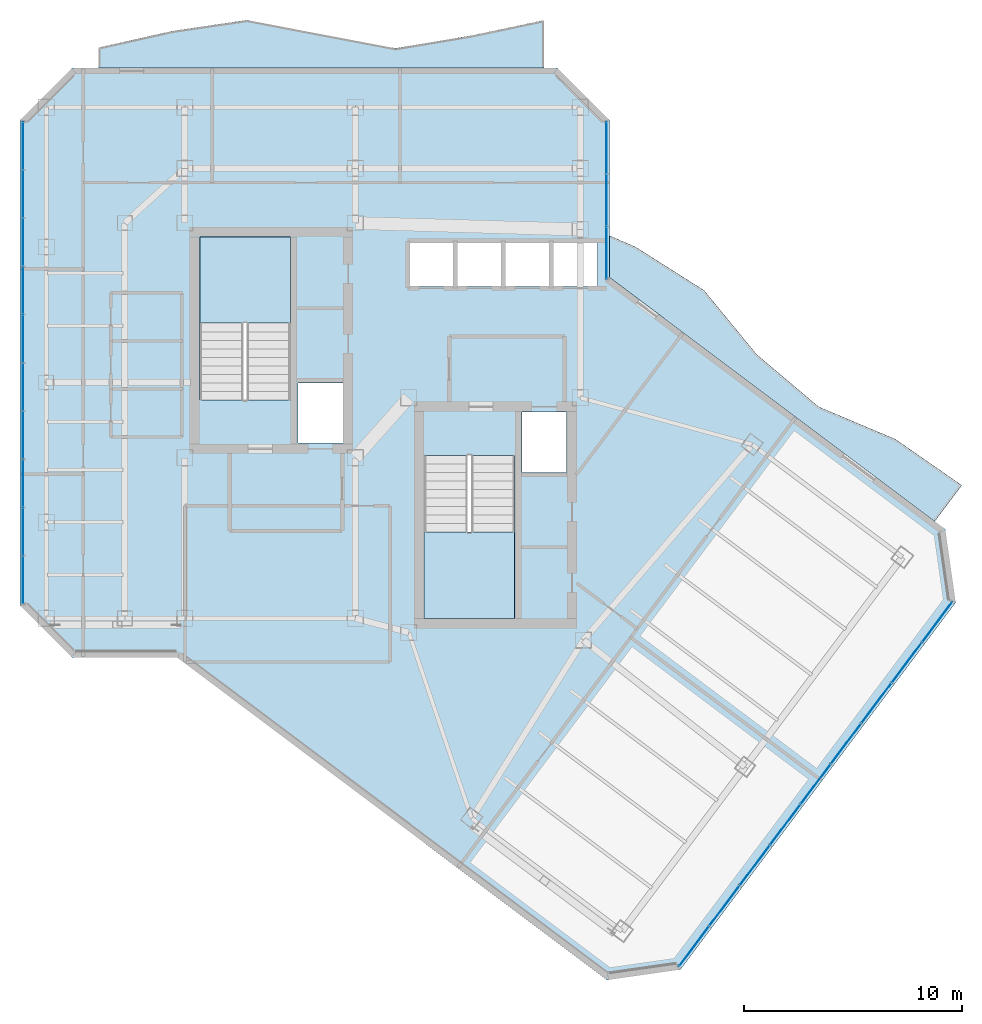
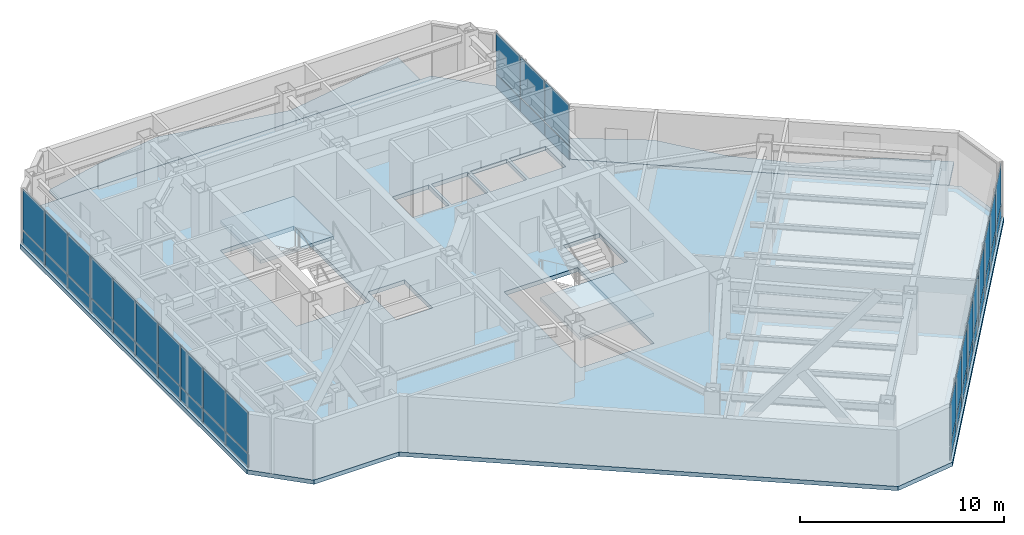
# One storey, part 18 of 24: 44 plates, 5 slabs, 5 elements without a shape of their own.
"""IFC4 building model written with IfcOpenShell, lengths in metres."""

import ifcopenshell
import ifcopenshell.guid

model = None  # the IFC model being written
_history = None  # IfcOwnerHistory: only IFC2X3 demands one
_inside = {}  # id of a spatial element -> (the spatial element, [elements in it])
_under = {}  # id of a project, library or spatial element -> (it, [spatial elements below it])
_declared = {}  # id of a project -> (the project, [libraries it declares])
_typed = {}  # id of a type object -> (the type object, [elements of that type])
_made_of = {}  # id of a material, layer set ... -> (it, [elements and type objects made of it])


def new_model(schema):
    """Start an empty IFC model of exactly this schema.

    Asked for "IFC4X3", IfcOpenShell would pick the latest addendum, in which some entities
    have other attributes; the version numbers below select the first issue.
    IFC2X3 requires an IfcOwnerHistory on every rooted entity: one is made here for all.
    """
    global model, _history
    if schema == "IFC4X3":
        model = ifcopenshell.file(schema_version=(4, 3, 0, 0))
    else:
        model = ifcopenshell.file(schema=schema)
    _inside.clear()
    _under.clear()
    _declared.clear()
    _typed.clear()
    _made_of.clear()
    _history = None
    if model.schema == "IFC2X3":
        org = make("IfcOrganization", Name="unknown")
        user = make(
            "IfcPersonAndOrganization",
            ThePerson=make("IfcPerson", FamilyName="unknown"),
            TheOrganization=org,
        )
        app = make(
            "IfcApplication",
            ApplicationDeveloper=org,
            Version="unknown",
            ApplicationFullName="unknown",
            ApplicationIdentifier="unknown",
        )
        _history = make(
            "IfcOwnerHistory",
            OwningUser=user,
            OwningApplication=app,
            ChangeAction="ADDED",
            CreationDate=0,
        )
    return model


def make(cls, **values):
    """One entity of the class cls with the attributes given. An attribute that is None is left unset."""
    return model.create_entity(
        cls, **{name: value for name, value in values.items() if value is not None}
    )


def rooted(cls, **values):
    """An entity with a GlobalId (a new one), such as an element, a storey or a relation."""
    return make(cls, GlobalId=ifcopenshell.guid.new(), OwnerHistory=_history, **values)


def si_unit(unit_type, name, prefix=None):
    """IfcSIUnit, for example si_unit("LENGTHUNIT", "METRE", prefix="MILLI")."""
    return make("IfcSIUnit", UnitType=unit_type, Prefix=prefix, Name=name)


def assignment(units):
    """IfcUnitAssignment: the units of a project."""
    return None if units is None else make("IfcUnitAssignment", Units=units)


def point(xyz):
    """IfcCartesianPoint."""
    return None if xyz is None else make("IfcCartesianPoint", Coordinates=xyz)


def direction(xyz):
    """IfcDirection."""
    return None if xyz is None else make("IfcDirection", DirectionRatios=xyz)


def frame(location, z_axis=None, x_axis=None):
    """IfcAxis2Placement3D, a coordinate frame: its origin and axes. An axis left out is left unset."""
    return make(
        "IfcAxis2Placement3D",
        Location=point(location),
        Axis=direction(z_axis),
        RefDirection=direction(x_axis),
    )


def frame_2d(location, x_axis=None):
    """IfcAxis2Placement2D, a coordinate frame in the plane: its origin and x axis."""
    return make(
        "IfcAxis2Placement2D", Location=point(location), RefDirection=direction(x_axis)
    )


def origin():
    """The frame at (0, 0, 0) with its axes left unset."""
    return frame((0.0, 0.0, 0.0))


def origin_2d():
    """The frame at (0, 0) in the plane with its x axis left unset."""
    return frame_2d((0.0, 0.0))


def place(relative_to, where):
    """IfcLocalPlacement: puts the frame where relative to a parent placement (None: the world)."""
    return make(
        "IfcLocalPlacement", PlacementRelTo=relative_to, RelativePlacement=where
    )


def context(
    kind, dimensions, precision=None, world=None, true_north=None, identifier=None
):
    """IfcGeometricRepresentationContext, for example the 3D "Model" context."""
    return make(
        "IfcGeometricRepresentationContext",
        ContextIdentifier=identifier,
        ContextType=kind,
        CoordinateSpaceDimension=dimensions,
        Precision=precision,
        WorldCoordinateSystem=world,
        TrueNorth=true_north,
    )


def subcontext(parent, identifier, kind, view, scale=None):
    """IfcGeometricRepresentationSubContext, for example "Body" below "Model"."""
    return make(
        "IfcGeometricRepresentationSubContext",
        ContextIdentifier=identifier,
        ContextType=kind,
        ParentContext=parent,
        TargetScale=scale,
        TargetView=view,
    )


def project(units=None, contexts=None):
    """IfcProject with its units and contexts."""
    return rooted(
        "IfcProject",
        Name="project",
        RepresentationContexts=contexts,
        UnitsInContext=assignment(units),
    )


def spatial(cls, under=None, at=None, **own):
    """A site, building, storey or space (cls), placed at a placement, below another one or the project."""
    s = rooted(cls, ObjectPlacement=at, **own)
    if under is not None:
        _under.setdefault(under.id(), (under, []))[1].append(s)
    return s


def polyline(points):
    """IfcPolyline through the points."""
    return make("IfcPolyline", Points=[point(p) for p in points])


def profile(cls, at=None, kind="AREA", **sizes):
    """A parametric profile (cls). Its sizes go by their IFC names, for example OverallWidth=200.0."""
    return make(cls, ProfileType=kind, Position=at, **sizes)


def rectangle(**sizes):
    """IfcRectangleProfileDef."""
    return profile("IfcRectangleProfileDef", **sizes)


def outline(outer, holes=None, kind="AREA"):
    """IfcArbitraryClosedProfileDef: a profile drawn as a closed curve; with holes, ...WithVoids."""
    if holes is None:
        return make("IfcArbitraryClosedProfileDef", ProfileType=kind, OuterCurve=outer)
    return make(
        "IfcArbitraryProfileDefWithVoids",
        ProfileType=kind,
        OuterCurve=outer,
        InnerCurves=holes,
    )


def extrude(swept, where, along, depth):
    """IfcExtrudedAreaSolid: the profile swept, set in the frame where, extruded along a direction by depth."""
    return make(
        "IfcExtrudedAreaSolid",
        SweptArea=swept,
        Position=where,
        ExtrudedDirection=direction(along),
        Depth=depth,
    )


def shape(context_of_items, identifier, shape_type, items):
    """IfcShapeRepresentation: the items that make up one representation, for example the "Body"."""
    return make(
        "IfcShapeRepresentation",
        ContextOfItems=context_of_items,
        RepresentationIdentifier=identifier,
        RepresentationType=shape_type,
        Items=items,
    )


def material(Name=None, Category=None):
    """IfcMaterial."""
    return make("IfcMaterial", Name=Name, Category=Category)


def layer(
    of_material, thickness, ventilated=None, Name=None, Category=None, Priority=None
):
    """IfcMaterialLayer: one layer of a wall or slab, of a material (None: an air gap)."""
    return make(
        "IfcMaterialLayer",
        Material=of_material,
        LayerThickness=thickness,
        IsVentilated=ventilated,
        Name=Name,
        Category=Category,
        Priority=Priority,
    )


def layer_set(layers, Name=None):
    """IfcMaterialLayerSet."""
    return make("IfcMaterialLayerSet", MaterialLayers=layers, LayerSetName=Name)


def made_of(thing, what):
    """Note that an element or type object is made of a material, layer set ...; save() writes the relation."""
    if what is not None:
        _made_of.setdefault(what.id(), (what, []))[1].append(thing)
    return thing


def type_object(cls, material=None, **own):
    """A type object (cls), such as IfcWallType, which elements share."""
    return made_of(rooted(cls, **own), material)


def element(
    cls,
    number,
    at=None,
    inside=None,
    cuts=None,
    type_object=None,
    material=None,
    context=None,
    identifier="Body",
    shape_type=None,
    held_by="IfcProductDefinitionShape",
    body=None,
    shapes=None,
    **own,
):
    """One element of the class cls, such as IfcWall. Its Tag is "e" and its number.

    at: its placement. inside: the storey or other place that contains it. cuts: it is an
    opening in that element (IfcRelVoidsElement). A single representation is given by context,
    identifier, shape_type and body (its items); several are given by shapes. held_by: the class
    of the entity that holds the representations. save() writes the other relations.
    """
    e = rooted(cls, Tag="e%d" % number, ObjectPlacement=at, **own)
    if body is not None:
        shapes = [shape(context, identifier, shape_type, body)]
    if shapes is not None:
        e.Representation = make(held_by, Representations=shapes)
    if inside is not None:
        _inside.setdefault(inside.id(), (inside, []))[1].append(e)
    if cuts is not None:
        rooted(
            "IfcRelVoidsElement", RelatingBuildingElement=cuts, RelatedOpeningElement=e
        )
    if type_object is not None:
        _typed.setdefault(type_object.id(), (type_object, []))[1].append(e)
    return made_of(e, material)


def aggregate(whole, parts):
    """IfcRelAggregates: a whole, such as a stair, and the parts it consists of."""
    return rooted("IfcRelAggregates", RelatingObject=whole, RelatedObjects=parts)


def save(model, path):
    """Write the relations noted so far, then the file.

    IfcRelAggregates (storeys below a building ...), IfcRelContainedInSpatialStructure (elements
    in a storey), IfcRelDefinesByType, IfcRelAssociatesMaterial and IfcRelDeclares: one each for
    every whole, place, type object, material and project.
    """
    for whole, parts in _under.values():
        aggregate(whole, parts)
    for where, things in _inside.values():
        rooted(
            "IfcRelContainedInSpatialStructure",
            RelatedElements=things,
            RelatingStructure=where,
        )
    for kind, things in _typed.values():
        rooted("IfcRelDefinesByType", RelatedObjects=things, RelatingType=kind)
    for what, things in _made_of.values():
        rooted("IfcRelAssociatesMaterial", RelatedObjects=things, RelatingMaterial=what)
    for by, libraries in _declared.values():
        rooted("IfcRelDeclares", RelatingContext=by, RelatedDefinitions=libraries)
    model.write(path)


model = new_model("IFC4")

# Units and contexts
model_context = context("Model", 3, precision=1e-05, world=origin(), true_north=direction((0.0, 1.0)))
body_context = subcontext(model_context, "Body", "Model", "MODEL_VIEW")
ifc_project = project(units=[si_unit("LENGTHUNIT", "METRE"), si_unit("AREAUNIT", "SQUARE_METRE"), si_unit("VOLUMEUNIT", "CUBIC_METRE"), si_unit("PLANEANGLEUNIT", "RADIAN"), si_unit("MASSUNIT", "GRAM", prefix="KILO")], contexts=[model_context])

# Site, building, storey
site_placement = place(None, origin())
site = spatial("IfcSite", under=ifc_project, at=site_placement, CompositionType="ELEMENT")
building_placement = place(site_placement, origin())
building = spatial("IfcBuilding", under=site, at=building_placement, Name="Hatsunagi Terrace Concourse", CompositionType="ELEMENT")
storey_placement = place(building_placement, frame((0.0, 0.0, 202.35009765625)))
storey = spatial("IfcBuildingStorey", under=building, at=storey_placement, Name="L53", CompositionType="ELEMENT", Elevation=202.35009765625)

# Curtain wall, plates
ifc_material_1 = material(Name="Anodised Aluminium Alloy 6063-T5", Category="aluminium")
ifc_layer_1 = layer(ifc_material_1, 0.199951171875)
ifc_layer_set_1 = layer_set([ifc_layer_1], Name="OfficeZone2_CW04")
curtain_wall_type = type_object("IfcCurtainWallType", Name="OfficeZone2_CW04", PredefinedType="NOTDEFINED", material=ifc_layer_set_1)
curtain_wall_1_placement = place(storey_placement, origin())
curtain_wall_1 = element("IfcCurtainWall", 1, at=curtain_wall_1_placement, inside=storey, type_object=curtain_wall_type, Name="Unitised Curtain Wall CW-04 CW-L53-03", PredefinedType="NOTDEFINED")
ifc_material_2 = material(Name="Warm Terracotta Ceramic Spandrel Panel", Category="masonry")
ifc_layer_2 = layer(ifc_material_2, 0.031982421875)
ifc_layer_set_2 = layer_set([ifc_layer_2], Name="CurtainWallSpandrelPanel_32")
plate_type_1 = type_object("IfcPlateType", Name="CurtainWallSpandrelPanel_32", PredefinedType="SHEET", material=ifc_layer_set_2)
plate_1_placement = place(storey_placement, frame((59.9970703125, 25.030029296875, 0.02978515625), z_axis=(0.0, 0.0, 1.0), x_axis=(-0.599969314634, -0.800023013105, 0.0)))
plate_1 = element("IfcPlate", 2, at=plate_1_placement, type_object=plate_type_1, Name="Terracotta Spandrel Panel SPN-01", PredefinedType="SHEET", context=body_context, shape_type="SweptSolid", body=[
    extrude(rectangle(XDim=2.264892578125, YDim=0.031982421875, at=origin_2d()), origin(), (0.0, 0.0, 1.0), 0.7900390625),
])
plate_2_placement = place(storey_placement, frame((58.60498046875, 23.173095703125, 0.02978515625), z_axis=(0.0, 0.0, 1.0), x_axis=(-0.599969314634, -0.800023013105, 0.0)))
plate_2 = element("IfcPlate", 3, at=plate_2_placement, type_object=plate_type_1, Name="Terracotta Spandrel Panel SPN-01", PredefinedType="SHEET", context=body_context, shape_type="SweptSolid", body=[
    extrude(rectangle(XDim=2.264892578125, YDim=0.031982421875, at=origin_2d()), origin(), (0.0, 0.0, 1.0), 0.7900390625),
])
plate_3_placement = place(storey_placement, frame((57.2119140625, 21.31689453125, 0.02978515625), z_axis=(0.0, 0.0, 1.0), x_axis=(-0.599969314634, -0.800023013105, 0.0)))
plate_3 = element("IfcPlate", 4, at=plate_3_placement, type_object=plate_type_1, Name="Terracotta Spandrel Panel SPN-01", PredefinedType="SHEET", context=body_context, shape_type="SweptSolid", body=[
    extrude(rectangle(XDim=2.264892578125, YDim=0.031982421875, at=origin_2d()), origin(), (0.0, 0.0, 1.0), 0.7900390625),
])
plate_4_placement = place(storey_placement, frame((55.820068359375, 19.4599609375, 0.02978515625), z_axis=(0.0, 0.0, 1.0), x_axis=(-0.599969314634, -0.800023013105, 0.0)))
plate_4 = element("IfcPlate", 5, at=plate_4_placement, type_object=plate_type_1, Name="Terracotta Spandrel Panel SPN-01", PredefinedType="SHEET", context=body_context, shape_type="SweptSolid", body=[
    extrude(rectangle(XDim=2.264892578125, YDim=0.031982421875, at=origin_2d()), origin(), (0.0, 0.0, 1.0), 0.7900390625),
])
plate_5_placement = place(storey_placement, frame((54.427978515625, 17.60400390625, 0.02978515625), z_axis=(0.0, 0.0, 1.0), x_axis=(-0.599969314634, -0.800023013105, 0.0)))
plate_5 = element("IfcPlate", 6, at=plate_5_placement, type_object=plate_type_1, Name="Terracotta Spandrel Panel SPN-01", PredefinedType="SHEET", context=body_context, shape_type="SweptSolid", body=[
    extrude(rectangle(XDim=2.264892578125, YDim=0.031982421875, at=origin_2d()), origin(), (0.0, 0.0, 1.0), 0.7900390625),
])
plate_6_placement = place(storey_placement, frame((53.035888671875, 15.748046875, 0.02978515625), z_axis=(0.0, 0.0, 1.0), x_axis=(-0.599969314634, -0.800023013105, 0.0)))
plate_6 = element("IfcPlate", 7, at=plate_6_placement, type_object=plate_type_1, Name="Terracotta Spandrel Panel SPN-01", PredefinedType="SHEET", context=body_context, shape_type="SweptSolid", body=[
    extrude(rectangle(XDim=2.264892578125, YDim=0.031982421875, at=origin_2d()), origin(), (0.0, 0.0, 1.0), 0.7900390625),
])
plate_7_placement = place(storey_placement, frame((51.64404296875, 13.89111328125, 0.02978515625), z_axis=(0.0, 0.0, 1.0), x_axis=(-0.599969314634, -0.800023013105, 0.0)))
plate_7 = element("IfcPlate", 8, at=plate_7_placement, type_object=plate_type_1, Name="Terracotta Spandrel Panel SPN-01", PredefinedType="SHEET", context=body_context, shape_type="SweptSolid", body=[
    extrude(rectangle(XDim=2.264892578125, YDim=0.031982421875, at=origin_2d()), origin(), (0.0, 0.0, 1.0), 0.7900390625),
])
plate_8_placement = place(storey_placement, frame((50.2509765625, 12.034912109375, 0.02978515625), z_axis=(0.0, 0.0, 1.0), x_axis=(-0.599969314634, -0.800023013105, 0.0)))
plate_8 = element("IfcPlate", 9, at=plate_8_placement, type_object=plate_type_1, Name="Terracotta Spandrel Panel SPN-01", PredefinedType="SHEET", context=body_context, shape_type="SweptSolid", body=[
    extrude(rectangle(XDim=2.264892578125, YDim=0.031982421875, at=origin_2d()), origin(), (0.0, 0.0, 1.0), 0.7900390625),
])
plate_9_placement = place(storey_placement, frame((48.85888671875, 10.177978515625, 0.02978515625), z_axis=(0.0, 0.0, 1.0), x_axis=(-0.599969314634, -0.800023013105, 0.0)))
plate_9 = element("IfcPlate", 10, at=plate_9_placement, type_object=plate_type_1, Name="Terracotta Spandrel Panel SPN-01", PredefinedType="SHEET", context=body_context, shape_type="SweptSolid", body=[
    extrude(rectangle(XDim=2.264892578125, YDim=0.031982421875, at=origin_2d()), origin(), (0.0, 0.0, 1.0), 0.7900390625),
])

curtain_wall_2_placement = place(storey_placement, origin())
curtain_wall_2 = element("IfcCurtainWall", 11, at=curtain_wall_2_placement, inside=storey, type_object=curtain_wall_type, Name="Unitised Curtain Wall CW-04 CW-L53-08", PredefinedType="NOTDEFINED")
plate_10_placement = place(storey_placement, frame((18.139892578125, 26.9619140625, 0.02978515625), z_axis=(0.0, 0.0, 1.0), x_axis=(0.0, 1.0, 0.0)))
plate_10 = element("IfcPlate", 12, at=plate_10_placement, type_object=plate_type_1, Name="Terracotta Spandrel Panel SPN-01", PredefinedType="SHEET", context=body_context, shape_type="SweptSolid", body=[
    extrude(rectangle(XDim=2.153076171875, YDim=0.031982421875, at=origin_2d()), origin(), (0.0, 0.0, 1.0), 0.7900390625),
])
plate_11_placement = place(storey_placement, frame((18.139892578125, 29.1708984375, 0.02978515625), z_axis=(0.0, 0.0, 1.0), x_axis=(0.0, 1.0, 0.0)))
plate_11 = element("IfcPlate", 13, at=plate_11_placement, type_object=plate_type_1, Name="Terracotta Spandrel Panel SPN-01", PredefinedType="SHEET", context=body_context, shape_type="SweptSolid", body=[
    extrude(rectangle(XDim=2.153076171875, YDim=0.031982421875, at=origin_2d()), origin(), (0.0, 0.0, 1.0), 0.7900390625),
])
plate_12_placement = place(storey_placement, frame((18.139892578125, 31.37890625, 0.02978515625), z_axis=(0.0, 0.0, 1.0), x_axis=(0.0, 1.0, 0.0)))
plate_12 = element("IfcPlate", 14, at=plate_12_placement, type_object=plate_type_1, Name="Terracotta Spandrel Panel SPN-01", PredefinedType="SHEET", context=body_context, shape_type="SweptSolid", body=[
    extrude(rectangle(XDim=2.153076171875, YDim=0.031982421875, at=origin_2d()), origin(), (0.0, 0.0, 1.0), 0.7900390625),
])
plate_13_placement = place(storey_placement, frame((18.139892578125, 33.5869140625, 0.02978515625), z_axis=(0.0, 0.0, 1.0), x_axis=(0.0, 1.0, 0.0)))
plate_13 = element("IfcPlate", 15, at=plate_13_placement, type_object=plate_type_1, Name="Terracotta Spandrel Panel SPN-01", PredefinedType="SHEET", context=body_context, shape_type="SweptSolid", body=[
    extrude(rectangle(XDim=2.153076171875, YDim=0.031982421875, at=origin_2d()), origin(), (0.0, 0.0, 1.0), 0.7900390625),
])
plate_14_placement = place(storey_placement, frame((18.139892578125, 35.7958984375, 0.02978515625), z_axis=(0.0, 0.0, 1.0), x_axis=(0.0, 1.0, 0.0)))
plate_14 = element("IfcPlate", 16, at=plate_14_placement, type_object=plate_type_1, Name="Terracotta Spandrel Panel SPN-01", PredefinedType="SHEET", context=body_context, shape_type="SweptSolid", body=[
    extrude(rectangle(XDim=2.153076171875, YDim=0.031982421875, at=origin_2d()), origin(), (0.0, 0.0, 1.0), 0.7900390625),
])
plate_15_placement = place(storey_placement, frame((18.139892578125, 38.00390625, 0.02978515625), z_axis=(0.0, 0.0, 1.0), x_axis=(0.0, 1.0, 0.0)))
plate_15 = element("IfcPlate", 17, at=plate_15_placement, type_object=plate_type_1, Name="Terracotta Spandrel Panel SPN-01", PredefinedType="SHEET", context=body_context, shape_type="SweptSolid", body=[
    extrude(rectangle(XDim=2.153076171875, YDim=0.031982421875, at=origin_2d()), origin(), (0.0, 0.0, 1.0), 0.7900390625),
])
plate_16_placement = place(storey_placement, frame((18.139892578125, 40.212890625, 0.02978515625), z_axis=(0.0, 0.0, 1.0), x_axis=(0.0, 1.0, 0.0)))
plate_16 = element("IfcPlate", 18, at=plate_16_placement, type_object=plate_type_1, Name="Terracotta Spandrel Panel SPN-01", PredefinedType="SHEET", context=body_context, shape_type="SweptSolid", body=[
    extrude(rectangle(XDim=2.153076171875, YDim=0.031982421875, at=origin_2d()), origin(), (0.0, 0.0, 1.0), 0.7900390625),
])
plate_17_placement = place(storey_placement, frame((18.139892578125, 42.4208984375, 0.02978515625), z_axis=(0.0, 0.0, 1.0), x_axis=(0.0, 1.0, 0.0)))
plate_17 = element("IfcPlate", 19, at=plate_17_placement, type_object=plate_type_1, Name="Terracotta Spandrel Panel SPN-01", PredefinedType="SHEET", context=body_context, shape_type="SweptSolid", body=[
    extrude(rectangle(XDim=2.153076171875, YDim=0.031982421875, at=origin_2d()), origin(), (0.0, 0.0, 1.0), 0.7900390625),
])
plate_18_placement = place(storey_placement, frame((18.139892578125, 44.62890625, 0.02978515625), z_axis=(0.0, 0.0, 1.0), x_axis=(0.0, 1.0, 0.0)))
plate_18 = element("IfcPlate", 20, at=plate_18_placement, type_object=plate_type_1, Name="Terracotta Spandrel Panel SPN-01", PredefinedType="SHEET", context=body_context, shape_type="SweptSolid", body=[
    extrude(rectangle(XDim=2.153076171875, YDim=0.031982421875, at=origin_2d()), origin(), (0.0, 0.0, 1.0), 0.7900390625),
])
plate_19_placement = place(storey_placement, frame((18.139892578125, 46.837890625, 0.02978515625), z_axis=(0.0, 0.0, 1.0), x_axis=(0.0, 1.0, 0.0)))
plate_19 = element("IfcPlate", 21, at=plate_19_placement, type_object=plate_type_1, Name="Terracotta Spandrel Panel SPN-01", PredefinedType="SHEET", context=body_context, shape_type="SweptSolid", body=[
    extrude(rectangle(XDim=2.153076171875, YDim=0.031982421875, at=origin_2d()), origin(), (0.0, 0.0, 1.0), 0.7900390625),
])

curtain_wall_3_placement = place(storey_placement, origin())
curtain_wall_3 = element("IfcCurtainWall", 22, at=curtain_wall_3_placement, inside=storey, type_object=curtain_wall_type, Name="Unitised Curtain Wall CW-04 CW-L53-12", PredefinedType="NOTDEFINED")
plate_20_placement = place(storey_placement, frame((44.860107421875, 46.739990234375, 0.02978515625), z_axis=(0.0, 0.0, 1.0), x_axis=(0.0, -1.0, 0.0)))
plate_20 = element("IfcPlate", 23, at=plate_20_placement, type_object=plate_type_1, Name="Terracotta Spandrel Panel SPN-01", PredefinedType="SHEET", context=body_context, shape_type="SweptSolid", body=[
    extrude(rectangle(XDim=2.34912109375, YDim=0.031982421875, at=origin_2d()), origin(), (0.0, 0.0, 1.0), 0.7900390625),
])
plate_21_placement = place(storey_placement, frame((44.860107421875, 44.3359375, 0.02978515625), z_axis=(0.0, 0.0, 1.0), x_axis=(0.0, -1.0, 0.0)))
plate_21 = element("IfcPlate", 24, at=plate_21_placement, type_object=plate_type_1, Name="Terracotta Spandrel Panel SPN-01", PredefinedType="SHEET", context=body_context, shape_type="SweptSolid", body=[
    extrude(rectangle(XDim=2.34912109375, YDim=0.031982421875, at=origin_2d()), origin(), (0.0, 0.0, 1.0), 0.7900390625),
])
plate_22_placement = place(storey_placement, frame((44.860107421875, 41.931884765625, 0.02978515625), z_axis=(0.0, 0.0, 1.0), x_axis=(0.0, -1.0, 0.0)))
plate_22 = element("IfcPlate", 25, at=plate_22_placement, type_object=plate_type_1, Name="Terracotta Spandrel Panel SPN-01", PredefinedType="SHEET", context=body_context, shape_type="SweptSolid", body=[
    extrude(rectangle(XDim=2.34912109375, YDim=0.031982421875, at=origin_2d()), origin(), (0.0, 0.0, 1.0), 0.7900390625),
])

# Plate
ifc_material_3 = material(Name="Low-E Double Insulating Glass 28mm", Category="glass")
ifc_layer_3 = layer(ifc_material_3, 0.028076171875)
ifc_layer_set_3 = layer_set([ifc_layer_3], Name="CurtainWallVisionGlass_28")
plate_type_2 = type_object("IfcPlateType", Name="CurtainWallVisionGlass_28", PredefinedType="CURTAIN_PANEL", material=ifc_layer_set_3)
plate_23_placement = place(storey_placement, frame((59.9970703125, 25.030029296875, 0.8798828125), z_axis=(0.0, 0.0, 1.0), x_axis=(-0.599969314634, -0.800023013105, 0.0)))
plate_23 = element("IfcPlate", 26, at=plate_23_placement, type_object=plate_type_2, Name="Low-E Vision Glass Panel GLZ-01", PredefinedType="CURTAIN_PANEL", context=body_context, shape_type="SweptSolid", body=[
    extrude(rectangle(XDim=2.264892578125, YDim=0.028076171875, at=origin_2d()), origin(), (0.0, 0.0, 1.0), 2.43994140625),
])

plate_24_placement = place(storey_placement, frame((58.60498046875, 23.173095703125, 0.8798828125), z_axis=(0.0, 0.0, 1.0), x_axis=(-0.599969314634, -0.800023013105, 0.0)))
plate_24 = element("IfcPlate", 27, at=plate_24_placement, type_object=plate_type_2, Name="Low-E Vision Glass Panel GLZ-01", PredefinedType="CURTAIN_PANEL", context=body_context, shape_type="SweptSolid", body=[
    extrude(rectangle(XDim=2.264892578125, YDim=0.028076171875, at=origin_2d()), origin(), (0.0, 0.0, 1.0), 2.43994140625),
])

plate_25_placement = place(storey_placement, frame((57.2119140625, 21.31689453125, 0.8798828125), z_axis=(0.0, 0.0, 1.0), x_axis=(-0.599969314634, -0.800023013105, 0.0)))
plate_25 = element("IfcPlate", 28, at=plate_25_placement, type_object=plate_type_2, Name="Low-E Vision Glass Panel GLZ-01", PredefinedType="CURTAIN_PANEL", context=body_context, shape_type="SweptSolid", body=[
    extrude(rectangle(XDim=2.264892578125, YDim=0.028076171875, at=origin_2d()), origin(), (0.0, 0.0, 1.0), 2.43994140625),
])

plate_26_placement = place(storey_placement, frame((55.820068359375, 19.4599609375, 0.8798828125), z_axis=(0.0, 0.0, 1.0), x_axis=(-0.599969314634, -0.800023013105, 0.0)))
plate_26 = element("IfcPlate", 29, at=plate_26_placement, type_object=plate_type_2, Name="Low-E Vision Glass Panel GLZ-01", PredefinedType="CURTAIN_PANEL", context=body_context, shape_type="SweptSolid", body=[
    extrude(rectangle(XDim=2.264892578125, YDim=0.028076171875, at=origin_2d()), origin(), (0.0, 0.0, 1.0), 2.43994140625),
])

plate_27_placement = place(storey_placement, frame((54.427978515625, 17.60400390625, 0.8798828125), z_axis=(0.0, 0.0, 1.0), x_axis=(-0.599969314634, -0.800023013105, 0.0)))
plate_27 = element("IfcPlate", 30, at=plate_27_placement, type_object=plate_type_2, Name="Low-E Vision Glass Panel GLZ-01", PredefinedType="CURTAIN_PANEL", context=body_context, shape_type="SweptSolid", body=[
    extrude(rectangle(XDim=2.264892578125, YDim=0.028076171875, at=origin_2d()), origin(), (0.0, 0.0, 1.0), 2.43994140625),
])

plate_28_placement = place(storey_placement, frame((53.035888671875, 15.748046875, 0.8798828125), z_axis=(0.0, 0.0, 1.0), x_axis=(-0.599969314634, -0.800023013105, 0.0)))
plate_28 = element("IfcPlate", 31, at=plate_28_placement, type_object=plate_type_2, Name="Low-E Vision Glass Panel GLZ-01", PredefinedType="CURTAIN_PANEL", context=body_context, shape_type="SweptSolid", body=[
    extrude(rectangle(XDim=2.264892578125, YDim=0.028076171875, at=origin_2d()), origin(), (0.0, 0.0, 1.0), 2.43994140625),
])

plate_29_placement = place(storey_placement, frame((51.64404296875, 13.89111328125, 0.8798828125), z_axis=(0.0, 0.0, 1.0), x_axis=(-0.599969314634, -0.800023013105, 0.0)))
plate_29 = element("IfcPlate", 32, at=plate_29_placement, type_object=plate_type_2, Name="Low-E Vision Glass Panel GLZ-01", PredefinedType="CURTAIN_PANEL", context=body_context, shape_type="SweptSolid", body=[
    extrude(rectangle(XDim=2.264892578125, YDim=0.028076171875, at=origin_2d()), origin(), (0.0, 0.0, 1.0), 2.43994140625),
])

plate_30_placement = place(storey_placement, frame((50.2509765625, 12.034912109375, 0.8798828125), z_axis=(0.0, 0.0, 1.0), x_axis=(-0.599969314634, -0.800023013105, 0.0)))
plate_30 = element("IfcPlate", 33, at=plate_30_placement, type_object=plate_type_2, Name="Low-E Vision Glass Panel GLZ-01", PredefinedType="CURTAIN_PANEL", context=body_context, shape_type="SweptSolid", body=[
    extrude(rectangle(XDim=2.264892578125, YDim=0.028076171875, at=origin_2d()), origin(), (0.0, 0.0, 1.0), 2.43994140625),
])

plate_31_placement = place(storey_placement, frame((48.85888671875, 10.177978515625, 0.8798828125), z_axis=(0.0, 0.0, 1.0), x_axis=(-0.599969314634, -0.800023013105, 0.0)))
plate_31 = element("IfcPlate", 34, at=plate_31_placement, type_object=plate_type_2, Name="Low-E Vision Glass Panel GLZ-01", PredefinedType="CURTAIN_PANEL", context=body_context, shape_type="SweptSolid", body=[
    extrude(rectangle(XDim=2.264892578125, YDim=0.028076171875, at=origin_2d()), origin(), (0.0, 0.0, 1.0), 2.43994140625),
])

aggregate(curtain_wall_1, [plate_1, plate_23, plate_2, plate_24, plate_3, plate_25, plate_4, plate_26, plate_5, plate_27, plate_6, plate_28, plate_7, plate_29, plate_8, plate_30, plate_9, plate_31])

plate_32_placement = place(storey_placement, frame((18.139892578125, 26.9619140625, 0.8798828125), z_axis=(0.0, 0.0, 1.0), x_axis=(0.0, 1.0, 0.0)))
plate_32 = element("IfcPlate", 35, at=plate_32_placement, type_object=plate_type_2, Name="Low-E Vision Glass Panel GLZ-01", PredefinedType="CURTAIN_PANEL", context=body_context, shape_type="SweptSolid", body=[
    extrude(rectangle(XDim=2.153076171875, YDim=0.028076171875, at=origin_2d()), origin(), (0.0, 0.0, 1.0), 2.43994140625),
])

plate_33_placement = place(storey_placement, frame((18.139892578125, 29.1708984375, 0.8798828125), z_axis=(0.0, 0.0, 1.0), x_axis=(0.0, 1.0, 0.0)))
plate_33 = element("IfcPlate", 36, at=plate_33_placement, type_object=plate_type_2, Name="Low-E Vision Glass Panel GLZ-01", PredefinedType="CURTAIN_PANEL", context=body_context, shape_type="SweptSolid", body=[
    extrude(rectangle(XDim=2.153076171875, YDim=0.028076171875, at=origin_2d()), origin(), (0.0, 0.0, 1.0), 2.43994140625),
])

plate_34_placement = place(storey_placement, frame((18.139892578125, 31.37890625, 0.8798828125), z_axis=(0.0, 0.0, 1.0), x_axis=(0.0, 1.0, 0.0)))
plate_34 = element("IfcPlate", 37, at=plate_34_placement, type_object=plate_type_2, Name="Low-E Vision Glass Panel GLZ-01", PredefinedType="CURTAIN_PANEL", context=body_context, shape_type="SweptSolid", body=[
    extrude(rectangle(XDim=2.153076171875, YDim=0.028076171875, at=origin_2d()), origin(), (0.0, 0.0, 1.0), 2.43994140625),
])

plate_35_placement = place(storey_placement, frame((18.139892578125, 33.5869140625, 0.8798828125), z_axis=(0.0, 0.0, 1.0), x_axis=(0.0, 1.0, 0.0)))
plate_35 = element("IfcPlate", 38, at=plate_35_placement, type_object=plate_type_2, Name="Low-E Vision Glass Panel GLZ-01", PredefinedType="CURTAIN_PANEL", context=body_context, shape_type="SweptSolid", body=[
    extrude(rectangle(XDim=2.153076171875, YDim=0.028076171875, at=origin_2d()), origin(), (0.0, 0.0, 1.0), 2.43994140625),
])

plate_36_placement = place(storey_placement, frame((18.139892578125, 35.7958984375, 0.8798828125), z_axis=(0.0, 0.0, 1.0), x_axis=(0.0, 1.0, 0.0)))
plate_36 = element("IfcPlate", 39, at=plate_36_placement, type_object=plate_type_2, Name="Low-E Vision Glass Panel GLZ-01", PredefinedType="CURTAIN_PANEL", context=body_context, shape_type="SweptSolid", body=[
    extrude(rectangle(XDim=2.153076171875, YDim=0.028076171875, at=origin_2d()), origin(), (0.0, 0.0, 1.0), 2.43994140625),
])

plate_37_placement = place(storey_placement, frame((18.139892578125, 38.00390625, 0.8798828125), z_axis=(0.0, 0.0, 1.0), x_axis=(0.0, 1.0, 0.0)))
plate_37 = element("IfcPlate", 40, at=plate_37_placement, type_object=plate_type_2, Name="Low-E Vision Glass Panel GLZ-01", PredefinedType="CURTAIN_PANEL", context=body_context, shape_type="SweptSolid", body=[
    extrude(rectangle(XDim=2.153076171875, YDim=0.028076171875, at=origin_2d()), origin(), (0.0, 0.0, 1.0), 2.43994140625),
])

plate_38_placement = place(storey_placement, frame((18.139892578125, 40.212890625, 0.8798828125), z_axis=(0.0, 0.0, 1.0), x_axis=(0.0, 1.0, 0.0)))
plate_38 = element("IfcPlate", 41, at=plate_38_placement, type_object=plate_type_2, Name="Low-E Vision Glass Panel GLZ-01", PredefinedType="CURTAIN_PANEL", context=body_context, shape_type="SweptSolid", body=[
    extrude(rectangle(XDim=2.153076171875, YDim=0.028076171875, at=origin_2d()), origin(), (0.0, 0.0, 1.0), 2.43994140625),
])

plate_39_placement = place(storey_placement, frame((18.139892578125, 42.4208984375, 0.8798828125), z_axis=(0.0, 0.0, 1.0), x_axis=(0.0, 1.0, 0.0)))
plate_39 = element("IfcPlate", 42, at=plate_39_placement, type_object=plate_type_2, Name="Low-E Vision Glass Panel GLZ-01", PredefinedType="CURTAIN_PANEL", context=body_context, shape_type="SweptSolid", body=[
    extrude(rectangle(XDim=2.153076171875, YDim=0.028076171875, at=origin_2d()), origin(), (0.0, 0.0, 1.0), 2.43994140625),
])

plate_40_placement = place(storey_placement, frame((18.139892578125, 44.62890625, 0.8798828125), z_axis=(0.0, 0.0, 1.0), x_axis=(0.0, 1.0, 0.0)))
plate_40 = element("IfcPlate", 43, at=plate_40_placement, type_object=plate_type_2, Name="Low-E Vision Glass Panel GLZ-01", PredefinedType="CURTAIN_PANEL", context=body_context, shape_type="SweptSolid", body=[
    extrude(rectangle(XDim=2.153076171875, YDim=0.028076171875, at=origin_2d()), origin(), (0.0, 0.0, 1.0), 2.43994140625),
])

plate_41_placement = place(storey_placement, frame((18.139892578125, 46.837890625, 0.8798828125), z_axis=(0.0, 0.0, 1.0), x_axis=(0.0, 1.0, 0.0)))
plate_41 = element("IfcPlate", 44, at=plate_41_placement, type_object=plate_type_2, Name="Low-E Vision Glass Panel GLZ-01", PredefinedType="CURTAIN_PANEL", context=body_context, shape_type="SweptSolid", body=[
    extrude(rectangle(XDim=2.153076171875, YDim=0.028076171875, at=origin_2d()), origin(), (0.0, 0.0, 1.0), 2.43994140625),
])

aggregate(curtain_wall_2, [plate_10, plate_32, plate_11, plate_33, plate_12, plate_34, plate_13, plate_35, plate_14, plate_36, plate_15, plate_37, plate_16, plate_38, plate_17, plate_39, plate_18, plate_40, plate_19, plate_41])

plate_42_placement = place(storey_placement, frame((44.860107421875, 46.739990234375, 0.8798828125), z_axis=(0.0, 0.0, 1.0), x_axis=(0.0, -1.0, 0.0)))
plate_42 = element("IfcPlate", 45, at=plate_42_placement, type_object=plate_type_2, Name="Low-E Vision Glass Panel GLZ-01", PredefinedType="CURTAIN_PANEL", context=body_context, shape_type="SweptSolid", body=[
    extrude(rectangle(XDim=2.34912109375, YDim=0.028076171875, at=origin_2d()), origin(), (0.0, 0.0, 1.0), 2.43994140625),
])

plate_43_placement = place(storey_placement, frame((44.860107421875, 44.3359375, 0.8798828125), z_axis=(0.0, 0.0, 1.0), x_axis=(0.0, -1.0, 0.0)))
plate_43 = element("IfcPlate", 46, at=plate_43_placement, type_object=plate_type_2, Name="Low-E Vision Glass Panel GLZ-01", PredefinedType="CURTAIN_PANEL", context=body_context, shape_type="SweptSolid", body=[
    extrude(rectangle(XDim=2.34912109375, YDim=0.028076171875, at=origin_2d()), origin(), (0.0, 0.0, 1.0), 2.43994140625),
])

plate_44_placement = place(storey_placement, frame((44.860107421875, 41.931884765625, 0.8798828125), z_axis=(0.0, 0.0, 1.0), x_axis=(0.0, -1.0, 0.0)))
plate_44 = element("IfcPlate", 47, at=plate_44_placement, type_object=plate_type_2, Name="Low-E Vision Glass Panel GLZ-01", PredefinedType="CURTAIN_PANEL", context=body_context, shape_type="SweptSolid", body=[
    extrude(rectangle(XDim=2.34912109375, YDim=0.028076171875, at=origin_2d()), origin(), (0.0, 0.0, 1.0), 2.43994140625),
])

aggregate(curtain_wall_3, [plate_20, plate_42, plate_21, plate_43, plate_22, plate_44])

# Stair, slab
ifc_material_4 = material(Name="Concrete Fc42", Category="concrete")
stair_type = type_object("IfcStairType", Name="DoglegExitStair_Tower2000_20R_180", PredefinedType="HALF_TURN_STAIR", material=ifc_material_4)
stair_1_placement = place(storey_placement, origin())
stair_1 = element("IfcStair", 48, at=stair_1_placement, inside=storey, type_object=stair_type, Name="L53 Core A Protected Exit Stair ST-A", PredefinedType="HALF_TURN_STAIR")
ifc_material_5 = material(Name="Concrete Fc42", Category="concrete")
ifc_layer_4 = layer(ifc_material_5, 0.199951171875)
ifc_layer_set_4 = layer_set([ifc_layer_4], Name="DoglegStairLanding_Tower2000")
slab_type_1 = type_object("IfcSlabType", Name="DoglegStairLanding_Tower2000", PredefinedType="LANDING", material=ifc_layer_set_4)
slab_1_placement = place(storey_placement, frame((0.0, 0.0, 1.599853515625)))
slab_1 = element("IfcSlab", 49, at=slab_1_placement, type_object=slab_type_1, Name="ST-A landing 1", PredefinedType="LANDING", context=body_context, shape_type="SweptSolid", body=[
    extrude(outline(polyline([(30.3798828125, 38.7099609375), (30.3798828125, 42.659912109375), (26.22998046875, 42.659912109375), (26.22998046875, 38.7099609375), (30.3798828125, 38.7099609375)])), origin(), (0.0, 0.0, 1.0), 0.199951171875),
])
aggregate(stair_1, [slab_1])

stair_2_placement = place(storey_placement, origin())
stair_2 = element("IfcStair", 50, at=stair_2_placement, inside=storey, type_object=stair_type, Name="L53 Core B Protected Exit Stair ST-B", PredefinedType="HALF_TURN_STAIR")
slab_2_placement = place(storey_placement, frame((0.0, 0.0, 1.599853515625)))
slab_2 = element("IfcSlab", 51, at=slab_2_placement, type_object=slab_type_1, Name="ST-B landing 1", PredefinedType="LANDING", context=body_context, shape_type="SweptSolid", body=[
    extrude(outline(polyline([(36.5, 29.14990234375), (36.5, 25.199951171875), (40.64990234375, 25.199951171875), (40.64990234375, 29.14990234375), (36.5, 29.14990234375)])), origin(), (0.0, 0.0, 1.0), 0.199951171875),
])
aggregate(stair_2, [slab_2])

# Slabs
ifc_material_6 = material(Name="Concrete Fc42", Category="concrete")
ifc_layer_5 = layer(ifc_material_6, 0.199951171875)
ifc_layer_set_5 = layer_set([ifc_layer_5], Name="EngawaBalconySlab_Fc42_200")
slab_type_2 = type_object("IfcSlabType", Name="EngawaBalconySlab_Fc42_200", PredefinedType="FLOOR", material=ifc_layer_set_5)
slab_3_placement = place(storey_placement, frame((0.0, 0.0, -0.2001953125)))
element("IfcSlab", 52, at=slab_3_placement, inside=storey, type_object=slab_type_2, Name="Engawa Balcony Slab BAL-L53-BN", PredefinedType="FLOOR", context=body_context, shape_type="SweptSolid", body=[
    extrude(outline(polyline([(21.60009765625, 51.33203125), (21.60009765625, 50.39990234375), (42.0, 50.39990234375), (42.0, 52.5859375), (38.60009765625, 51.87109375), (35.199951171875, 51.300048828125), (31.800048828125, 51.916015625), (28.39990234375, 52.593994140625), (25.0, 52.095947265625), (21.60009765625, 51.33203125)])), origin(), (0.0, 0.0, 1.0), 0.2001953125),
])
slab_4_placement = place(storey_placement, frame((0.0, 0.0, -0.2001953125)))
element("IfcSlab", 53, at=slab_4_placement, inside=storey, type_object=slab_type_2, Name="Engawa Balcony Slab BAL-L53-BSE", PredefinedType="FLOOR", context=body_context, shape_type="SweptSolid", body=[
    extrude(outline(polyline([(46.177978515625, 42.2041015625), (44.99609375, 42.718017578125), (44.99609375, 40.802978515625), (59.8798828125, 29.639892578125), (61.116943359375, 31.2900390625), (58.075927734375, 33.402099609375), (54.56298828125, 34.884033203125), (51.73193359375, 37.27587890625), (49.31396484375, 40.218994140625), (46.177978515625, 42.2041015625)])), origin(), (0.0, 0.0, 1.0), 0.2001953125),
])
ifc_material_7 = material(Name="Concrete Fc42", Category="concrete")
ifc_layer_6 = layer(ifc_material_7, 0.25)
ifc_layer_set_6 = layer_set([ifc_layer_6], Name="OfficeCrownSlab_Fc42_250")
slab_type_3 = type_object("IfcSlabType", Name="OfficeCrownSlab_Fc42_250", PredefinedType="FLOOR", material=ifc_layer_set_6)
slab_5_placement = place(storey_placement, frame((0.0, 0.0, -0.25)))
element("IfcSlab", 54, at=slab_5_placement, inside=storey, type_object=slab_type_3, Name="Floor Slab SL-250 L53", PredefinedType="FLOOR", context=body_context, shape_type="SweptSolid", body=[
    extrude(outline(polyline([(45.0, 40.800048828125), (45.0, 48.0), (42.60009765625, 50.39990234375), (20.39990234375, 50.39990234375), (18.0, 48.0), (18.0, 25.800048828125), (20.39990234375, 23.39990234375), (25.199951171875, 23.39990234375), (44.8798828125, 8.639892578125), (48.239990234375, 9.1201171875), (60.840087890625, 25.919921875), (60.360107421875, 29.280029296875), (45.0, 40.800048828125)]), holes=[polyline([(26.22998046875, 35.205078125), (30.3798828125, 35.205078125), (30.3798828125, 42.659912109375), (26.22998046875, 42.659912109375), (26.22998046875, 35.205078125)]), polyline([(36.5, 25.199951171875), (40.64990234375, 25.199951171875), (40.64990234375, 32.655029296875), (36.5, 32.655029296875), (36.5, 25.199951171875)]), polyline([(30.719970703125, 33.219970703125), (32.780029296875, 33.219970703125), (32.780029296875, 35.97998046875), (30.719970703125, 35.97998046875), (30.719970703125, 33.219970703125)]), polyline([(40.97998046875, 31.8798828125), (43.02001953125, 31.8798828125), (43.02001953125, 34.639892578125), (40.97998046875, 34.639892578125), (40.97998046875, 31.8798828125)]), polyline([(35.800048828125, 40.39990234375), (37.85009765625, 40.39990234375), (37.85009765625, 42.39990234375), (35.800048828125, 42.39990234375), (35.800048828125, 40.39990234375)]), polyline([(38.0, 40.39990234375), (40.050048828125, 40.39990234375), (40.050048828125, 42.39990234375), (38.0, 42.39990234375), (38.0, 40.39990234375)]), polyline([(40.199951171875, 40.39990234375), (42.25, 40.39990234375), (42.25, 42.39990234375), (40.199951171875, 42.39990234375), (40.199951171875, 40.39990234375)]), polyline([(42.39990234375, 40.39990234375), (44.449951171875, 40.39990234375), (44.449951171875, 42.39990234375), (42.39990234375, 42.39990234375), (42.39990234375, 40.39990234375)])]), origin(), (0.0, 0.0, 1.0), 0.25),
])

save(model, "model.ifc")
